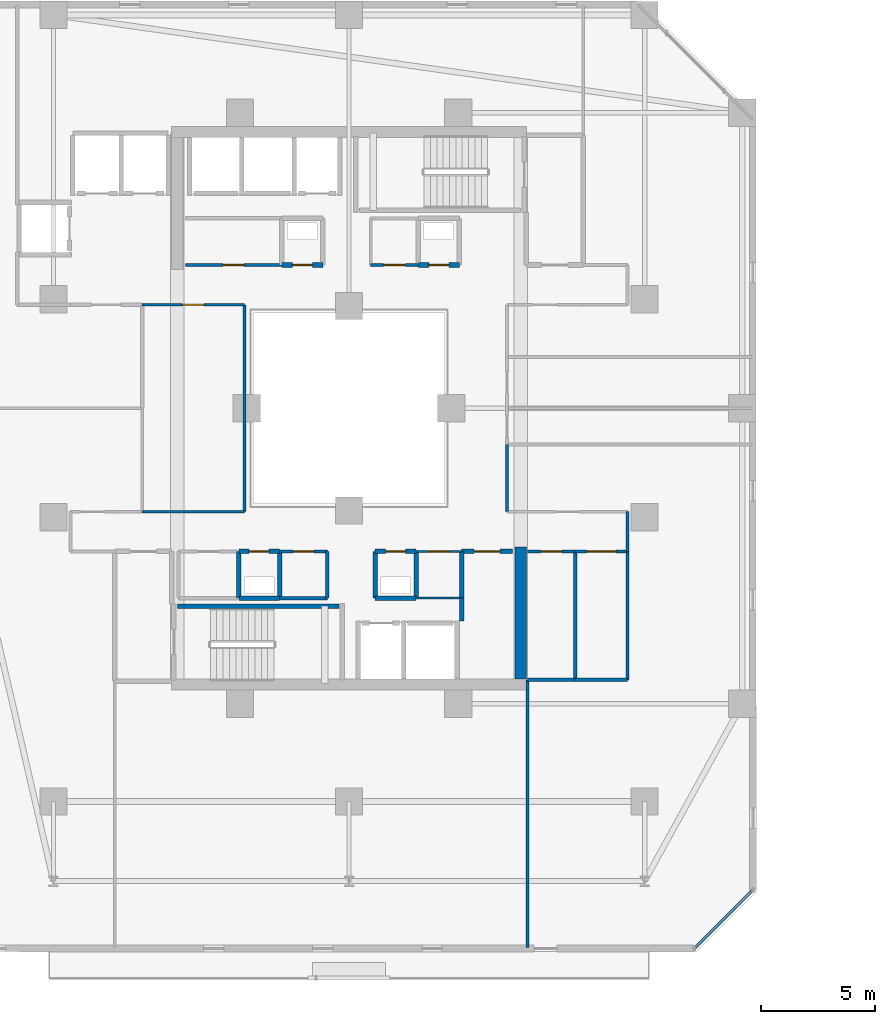
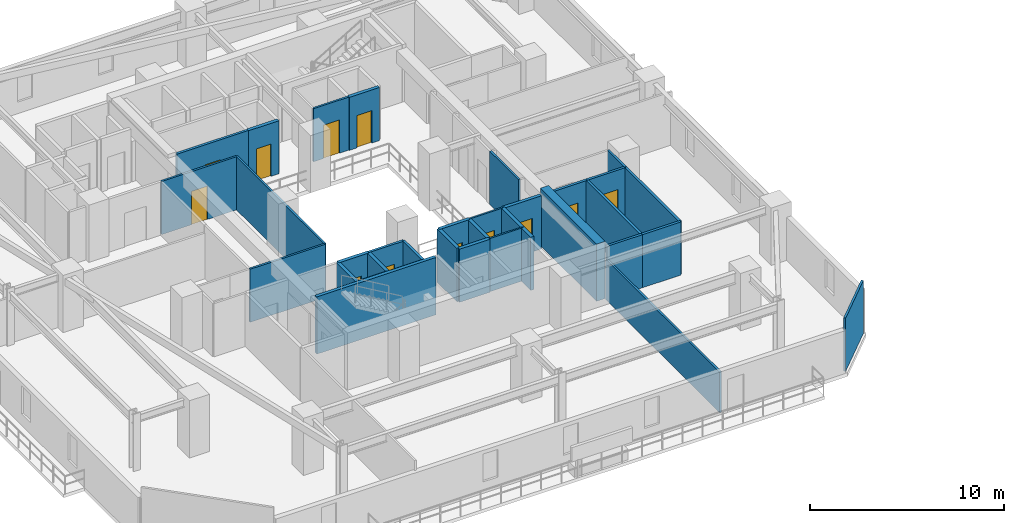
# One storey, part 19 of 33: 35 walls, 12 doors, 12 openings.
"""IFC4 building model written with IfcOpenShell, lengths in metres."""

from ifc_helpers import new_model, si_unit, direction, frame, frame_2d, origin, place, context, subcontext, project, spatial, rectangle, extrude, material, layer, layer_set, type_object, element, fill, save


model = new_model("IFC4")

# Units and contexts
model_context = context("Model", 3, precision=1e-05, world=origin(), true_north=direction((0.0, 1.0)))
body_context = subcontext(model_context, "Body", "Model", "MODEL_VIEW")
ifc_project = project(units=[si_unit("LENGTHUNIT", "METRE"), si_unit("AREAUNIT", "SQUARE_METRE"), si_unit("VOLUMEUNIT", "CUBIC_METRE"), si_unit("PLANEANGLEUNIT", "RADIAN"), si_unit("MASSUNIT", "GRAM", prefix="KILO")], contexts=[model_context])

# Site, building, storey
site_placement = place(None, origin())
site = spatial("IfcSite", under=ifc_project, at=site_placement, CompositionType="ELEMENT")
building_placement = place(site_placement, origin())
building = spatial("IfcBuilding", under=site, at=building_placement, Name="Thornwick Lancets Civic Towers", CompositionType="ELEMENT")
storey_placement = place(building_placement, frame((0.0, 0.0, 134.10009765625)))
storey = spatial("IfcBuildingStorey", under=building, at=storey_placement, Name="L35", CompositionType="ELEMENT", Elevation=134.10009765625)

# Walls
ifc_material_1 = material(Name="Concrete blockwork C40/50", Category="masonry")
ifc_layer_1 = layer(ifc_material_1, 0.199951171875, Name="Concrete blockwork C40/50")
ifc_layer_set_1 = layer_set([ifc_layer_1], Name="Concrete blockwork C40/50")
wall_type_1 = type_object("IfcWallType", Name="WALL_COMP_200", PredefinedType="STANDARD", material=ifc_layer_set_1)
wall_1_placement = place(storey_placement, frame((26.64990234375, 18.64990234375, 0.0), z_axis=(0.0, 0.0, 1.0), x_axis=(1.0, 0.0, 0.0)))
element("IfcWall", 1, at=wall_1_placement, inside=storey, type_object=wall_type_1, Name="L35 Partition L35-A-DUCT1 E1", PredefinedType="STANDARD", context=body_context, shape_type="SweptSolid", body=[
    extrude(rectangle(XDim=1.800048828125, YDim=0.199951171875, at=frame_2d((0.89990234375, 0.0))), origin(), (0.0, 0.0, 1.0), 3.33984375),
])
wall_2_placement = place(storey_placement, frame((28.449951171875, 18.64990234375, 0.0), z_axis=(0.0, 0.0, 1.0), x_axis=(0.0, 1.0, 0.0)))
element("IfcWall", 2, at=wall_2_placement, inside=storey, type_object=wall_type_1, Name="L35 Partition L35-A-DUCT1 E2", PredefinedType="STANDARD", context=body_context, shape_type="SweptSolid", body=[
    extrude(rectangle(XDim=2.050048828125, YDim=0.199951171875, at=frame_2d((1.02490234375, 0.0))), origin(), (0.0, 0.0, 1.0), 3.33984375),
])

# Wall, opening, door
wall_3_placement = place(storey_placement, frame((28.449951171875, 20.699951171875, 0.0), z_axis=(0.0, 0.0, 1.0), x_axis=(-1.0, 0.0, 0.0)))
wall_3 = element("IfcWall", 3, at=wall_3_placement, inside=storey, type_object=wall_type_1, Name="L35 Partition L35-A-DUCT1 E3", PredefinedType="STANDARD", context=body_context, shape_type="SweptSolid", body=[
    extrude(rectangle(XDim=1.800048828125, YDim=0.199951171875, at=frame_2d((0.89990234375, 0.0))), origin(), (0.0, 0.0, 1.0), 3.33984375),
])
opening_1_placement = place(wall_3_placement, frame((0.4599609375, 0.0, 0.0)))
opening_1 = element("IfcOpeningElement", 4, at=opening_1_placement, cuts=wall_3, Name="Opening D-L35-1577", PredefinedType="OPENING", context=body_context, shape_type="SweptSolid", body=[
    extrude(rectangle(XDim=0.8798828125, YDim=2.0400390625, at=frame_2d((0.43994140625, 1.02001953125))), frame((0.0, 0.10986328125, 0.0), z_axis=(0.0, -1.0, 0.0), x_axis=(1.0, 0.0, 0.0)), (0.0, 0.0, 1.0), 0.219970703125),
])
ifc_material_2 = material(Name="Steel riser access doorset", Category="steel")
door_type_1 = type_object("IfcDoorType", Name="DOOR_RISER_850", OperationType="NOTDEFINED", PredefinedType="DOOR", material=ifc_material_2)
door_1_placement = place(opening_1_placement, origin())
door_1 = element("IfcDoor", 5, at=door_1_placement, inside=storey, type_object=door_type_1, Name="L35 South Service Duct 1 Door", OperationType="SINGLE_SWING_RIGHT", OverallHeight=2.0400390625, OverallWidth=0.8798828125, PredefinedType="DOOR", context=body_context, shape_type="SweptSolid", body=[
    extrude(rectangle(XDim=0.8798828125, YDim=2.0400390625, at=frame_2d((0.43994140625, 1.02001953125))), frame((0.0, 0.02490234375, 0.0), z_axis=(0.0, -1.0, 0.0), x_axis=(1.0, 0.0, 0.0)), (0.0, 0.0, 1.0), 0.050048828125),
])
fill(opening_1, door_1)

# Walls
wall_4_placement = place(storey_placement, frame((26.64990234375, 20.699951171875, 0.0), z_axis=(0.0, 0.0, 1.0), x_axis=(0.0, -1.0, 0.0)))
element("IfcWall", 6, at=wall_4_placement, inside=storey, type_object=wall_type_1, Name="L35 Partition L35-A-DUCT1 E4", PredefinedType="STANDARD", context=body_context, shape_type="SweptSolid", body=[
    extrude(rectangle(XDim=2.050048828125, YDim=0.199951171875, at=frame_2d((1.02490234375, 0.0))), origin(), (0.0, 0.0, 1.0), 3.33984375),
])
wall_5_placement = place(storey_placement, frame((20.64990234375, 18.64990234375, 0.0), z_axis=(0.0, 0.0, 1.0), x_axis=(1.0, 0.0, 0.0)))
element("IfcWall", 7, at=wall_5_placement, inside=storey, type_object=wall_type_1, Name="L35 Partition L35-A-RISER1 E1", PredefinedType="STANDARD", context=body_context, shape_type="SweptSolid", body=[
    extrude(rectangle(XDim=1.800048828125, YDim=0.199951171875, at=frame_2d((0.89990234375, 0.0))), origin(), (0.0, 0.0, 1.0), 3.33984375),
])
wall_6_placement = place(storey_placement, frame((22.449951171875, 18.64990234375, 0.0), z_axis=(0.0, 0.0, 1.0), x_axis=(0.0, 1.0, 0.0)))
element("IfcWall", 8, at=wall_6_placement, inside=storey, type_object=wall_type_1, Name="L35 Partition L35-A-RISER1 E2", PredefinedType="STANDARD", context=body_context, shape_type="SweptSolid", body=[
    extrude(rectangle(XDim=2.050048828125, YDim=0.199951171875, at=frame_2d((1.02490234375, 0.0))), origin(), (0.0, 0.0, 1.0), 3.33984375),
])

# Wall, opening, door
wall_7_placement = place(storey_placement, frame((22.449951171875, 20.699951171875, 0.0), z_axis=(0.0, 0.0, 1.0), x_axis=(-1.0, 0.0, 0.0)))
wall_7 = element("IfcWall", 9, at=wall_7_placement, inside=storey, type_object=wall_type_1, Name="L35 Partition L35-A-RISER1 E3", PredefinedType="STANDARD", context=body_context, shape_type="SweptSolid", body=[
    extrude(rectangle(XDim=1.800048828125, YDim=0.199951171875, at=frame_2d((0.89990234375, 0.0))), origin(), (0.0, 0.0, 1.0), 3.33984375),
])
opening_2_placement = place(wall_7_placement, frame((0.4599609375, 0.0, 0.0)))
opening_2 = element("IfcOpeningElement", 10, at=opening_2_placement, cuts=wall_7, Name="Opening D-L35-1578", PredefinedType="OPENING", context=body_context, shape_type="SweptSolid", body=[
    extrude(rectangle(XDim=0.8798828125, YDim=2.0400390625, at=frame_2d((0.43994140625, 1.02001953125))), frame((0.0, 0.10986328125, 0.0), z_axis=(0.0, -1.0, 0.0), x_axis=(1.0, 0.0, 0.0)), (0.0, 0.0, 1.0), 0.219970703125),
])
door_2_placement = place(opening_2_placement, origin())
door_2 = element("IfcDoor", 11, at=door_2_placement, inside=storey, type_object=door_type_1, Name="L35 South Electrical Riser 1 Door", OperationType="SINGLE_SWING_LEFT", OverallHeight=2.0400390625, OverallWidth=0.8798828125, PredefinedType="DOOR", context=body_context, shape_type="SweptSolid", body=[
    extrude(rectangle(XDim=0.8798828125, YDim=2.0400390625, at=frame_2d((0.43994140625, 1.02001953125))), frame((0.0, 0.02490234375, 0.0), z_axis=(0.0, -1.0, 0.0), x_axis=(1.0, 0.0, 0.0)), (0.0, 0.0, 1.0), 0.050048828125),
])
fill(opening_2, door_2)

# Wall
wall_8_placement = place(storey_placement, frame((20.64990234375, 20.699951171875, 0.0), z_axis=(0.0, 0.0, 1.0), x_axis=(0.0, -1.0, 0.0)))
element("IfcWall", 12, at=wall_8_placement, inside=storey, type_object=wall_type_1, Name="L35 Partition L35-A-RISER1 E4", PredefinedType="STANDARD", context=body_context, shape_type="SweptSolid", body=[
    extrude(rectangle(XDim=2.050048828125, YDim=0.199951171875, at=frame_2d((1.02490234375, 0.0))), origin(), (0.0, 0.0, 1.0), 3.33984375),
])

# Wall, opening, door
wall_9_placement = place(storey_placement, frame((22.550048828125, 33.300048828125, 0.0), z_axis=(0.0, 0.0, 1.0), x_axis=(1.0, 0.0, 0.0)))
wall_9 = element("IfcWall", 13, at=wall_9_placement, inside=storey, type_object=wall_type_1, Name="L35 Partition L35-A-DUCT2 E1", PredefinedType="STANDARD", context=body_context, shape_type="SweptSolid", body=[
    extrude(rectangle(XDim=1.800048828125, YDim=0.199951171875, at=frame_2d((0.89990234375, 0.0))), origin(), (0.0, 0.0, 1.0), 3.33984375),
])
opening_3_placement = place(wall_9_placement, frame((0.4599609375, 0.0, 0.0)))
opening_3 = element("IfcOpeningElement", 14, at=opening_3_placement, cuts=wall_9, Name="Opening D-L35-1579", PredefinedType="OPENING", context=body_context, shape_type="SweptSolid", body=[
    extrude(rectangle(XDim=0.8798828125, YDim=2.0400390625, at=frame_2d((0.43994140625, 1.02001953125))), frame((0.0, 0.10986328125, 0.0), z_axis=(0.0, -1.0, 0.0), x_axis=(1.0, 0.0, 0.0)), (0.0, 0.0, 1.0), 0.219970703125),
])
door_3_placement = place(opening_3_placement, origin())
door_3 = element("IfcDoor", 15, at=door_3_placement, inside=storey, type_object=door_type_1, Name="L35 North Service Duct 2 Door", OperationType="SINGLE_SWING_RIGHT", OverallHeight=2.0400390625, OverallWidth=0.8798828125, PredefinedType="DOOR", context=body_context, shape_type="SweptSolid", body=[
    extrude(rectangle(XDim=0.8798828125, YDim=2.0400390625, at=frame_2d((0.43994140625, 1.02001953125))), frame((0.0, 0.02490234375, 0.0), z_axis=(0.0, -1.0, 0.0), x_axis=(1.0, 0.0, 0.0)), (0.0, 0.0, 1.0), 0.050048828125),
])
fill(opening_3, door_3)

wall_10_placement = place(storey_placement, frame((28.550048828125, 33.300048828125, 0.0), z_axis=(0.0, 0.0, 1.0), x_axis=(1.0, 0.0, 0.0)))
wall_10 = element("IfcWall", 16, at=wall_10_placement, inside=storey, type_object=wall_type_1, Name="L35 Partition L35-A-RISER2 E1", PredefinedType="STANDARD", context=body_context, shape_type="SweptSolid", body=[
    extrude(rectangle(XDim=1.800048828125, YDim=0.199951171875, at=frame_2d((0.89990234375, 0.0))), origin(), (0.0, 0.0, 1.0), 3.33984375),
])
opening_4_placement = place(wall_10_placement, frame((0.4599609375, 0.0, 0.0)))
opening_4 = element("IfcOpeningElement", 17, at=opening_4_placement, cuts=wall_10, Name="Opening D-L35-1580", PredefinedType="OPENING", context=body_context, shape_type="SweptSolid", body=[
    extrude(rectangle(XDim=0.8798828125, YDim=2.0400390625, at=frame_2d((0.43994140625, 1.02001953125))), frame((0.0, 0.10986328125, 0.0), z_axis=(0.0, -1.0, 0.0), x_axis=(1.0, 0.0, 0.0)), (0.0, 0.0, 1.0), 0.219970703125),
])
door_4_placement = place(opening_4_placement, origin())
door_4 = element("IfcDoor", 18, at=door_4_placement, inside=storey, type_object=door_type_1, Name="L35 North Service Riser 2 Door", OperationType="SINGLE_SWING_LEFT", OverallHeight=2.0400390625, OverallWidth=0.8798828125, PredefinedType="DOOR", context=body_context, shape_type="SweptSolid", body=[
    extrude(rectangle(XDim=0.8798828125, YDim=2.0400390625, at=frame_2d((0.43994140625, 1.02001953125))), frame((0.0, 0.02490234375, 0.0), z_axis=(0.0, -1.0, 0.0), x_axis=(1.0, 0.0, 0.0)), (0.0, 0.0, 1.0), 0.050048828125),
])
fill(opening_4, door_4)

# Walls
wall_11_placement = place(storey_placement, frame((30.449951171875, 17.64794921875, 0.0), z_axis=(0.0, 0.0, 1.0), x_axis=(0.0, 1.0, 0.0)))
element("IfcWall", 19, at=wall_11_placement, inside=storey, type_object=wall_type_1, Name="L35 Partition L35-A-ITR2 E3", PredefinedType="STANDARD", context=body_context, shape_type="SweptSolid", body=[
    extrude(rectangle(XDim=1.001953125, YDim=0.199951171875, at=frame_2d((0.5009765625, 0.0))), origin(), (0.0, 0.0, 1.0), 3.33984375),
])
wall_12_placement = place(storey_placement, frame((30.449951171875, 18.64990234375, 0.0), z_axis=(0.0, 0.0, 1.0), x_axis=(0.0, 1.0, 0.0)))
element("IfcWall", 20, at=wall_12_placement, inside=storey, type_object=wall_type_1, Name="L35 Partition L35-A-ITR2 E4", PredefinedType="STANDARD", context=body_context, shape_type="SweptSolid", body=[
    extrude(rectangle(XDim=2.050048828125, YDim=0.199951171875, at=frame_2d((1.02490234375, 0.0))), origin(), (0.0, 0.0, 1.0), 3.33984375),
])

# Wall, opening, door
wall_13_placement = place(storey_placement, frame((30.449951171875, 20.699951171875, 0.0), z_axis=(0.0, 0.0, 1.0), x_axis=(1.0, 0.0, 0.0)))
wall_13 = element("IfcWall", 21, at=wall_13_placement, inside=storey, type_object=wall_type_1, Name="L35 Partition L35-A-ITR2 E5", PredefinedType="STANDARD", context=body_context, shape_type="SweptSolid", body=[
    extrude(rectangle(XDim=2.25, YDim=0.199951171875, at=frame_2d((1.125, 0.0))), origin(), (0.0, 0.0, 1.0), 3.33984375),
])
opening_5_placement = place(wall_13_placement, frame((0.550048828125, 0.0, 0.0)))
opening_5 = element("IfcOpeningElement", 22, at=opening_5_placement, cuts=wall_13, Name="Opening D-L35-1584", PredefinedType="OPENING", context=body_context, shape_type="SweptSolid", body=[
    extrude(rectangle(XDim=1.14990234375, YDim=2.10009765625, at=frame_2d((0.574951171875, 1.050048828125))), frame((0.0, 0.10986328125, 0.0), z_axis=(0.0, -1.0, 0.0), x_axis=(1.0, 0.0, 0.0)), (0.0, 0.0, 1.0), 0.219970703125),
])
ifc_material_3 = material(Name="Glazed fire-resisting steel", Category="steel")
door_type_2 = type_object("IfcDoorType", Name="DOOR_LOBBY_FD60", OperationType="NOTDEFINED", PredefinedType="DOOR", material=ifc_material_3)
door_5_placement = place(opening_5_placement, origin())
door_5 = element("IfcDoor", 23, at=door_5_placement, inside=storey, type_object=door_type_2, Name="L35 Tower A Statutory Core Archive Door", OperationType="SINGLE_SWING_LEFT", OverallHeight=2.10009765625, OverallWidth=1.14990234375, PredefinedType="DOOR", context=body_context, shape_type="SweptSolid", body=[
    extrude(rectangle(XDim=1.14990234375, YDim=2.10009765625, at=frame_2d((0.574951171875, 1.050048828125))), frame((0.0, 0.02490234375, 0.0), z_axis=(0.0, -1.0, 0.0), x_axis=(1.0, 0.0, 0.0)), (0.0, 0.0, 1.0), 0.050048828125),
])
fill(opening_5, door_5)

# Walls
ifc_material_4 = material(Name="Concrete C50/60", Category="concrete")
ifc_layer_2 = layer(ifc_material_4, 0.5, Name="Concrete C50/60")
ifc_layer_set_2 = layer_set([ifc_layer_2], Name="Concrete C50/60")
wall_type_2 = type_object("IfcWallType", Name="WALL_CORE_500", PredefinedType="SHEAR", material=ifc_layer_set_2)
wall_14_placement = place(storey_placement, frame((33.050048828125, 15.10009765625, 0.0), z_axis=(0.0, 0.0, 1.0), x_axis=(0.0, 1.0, 0.0)))
element("IfcWall", 24, at=wall_14_placement, inside=storey, type_object=wall_type_2, Name="L35 Split Core A1 Shear Wall E", PredefinedType="SHEAR", context=body_context, shape_type="SweptSolid", body=[
    extrude(rectangle(XDim=5.7998046875, YDim=0.5, at=frame_2d((2.89990234375, 0.0))), origin(), (0.0, 0.0, 1.0), 3.599853515625),
])
ifc_material_5 = material(Name="Lightweight cellular office partition")
ifc_layer_3 = layer(ifc_material_5, 0.10009765625, Name="Lightweight cellular office partition")
ifc_layer_set_3 = layer_set([ifc_layer_3], Name="Lightweight cellular office partition")
wall_type_3 = type_object("IfcWallType", Name="WALL_PART_100", PredefinedType="PARTITIONING", material=ifc_layer_set_3)
wall_15_placement = place(storey_placement, frame((30.449951171875, 18.64990234375, 0.0), z_axis=(0.0, 0.0, 1.0), x_axis=(-1.0, 0.0, 0.0)))
element("IfcWall", 25, at=wall_15_placement, inside=storey, type_object=wall_type_3, Name="L35 Partition L35-A-CLN E2", PredefinedType="PARTITIONING", context=body_context, shape_type="SweptSolid", body=[
    extrude(rectangle(XDim=2.0, YDim=0.10009765625, at=frame_2d((1.0, 0.0))), origin(), (0.0, 0.0, 1.0), 3.33984375),
])

# Wall, opening, door
wall_16_placement = place(storey_placement, frame((28.449951171875, 20.699951171875, 0.0), z_axis=(0.0, 0.0, 1.0), x_axis=(1.0, 0.0, 0.0)))
wall_16 = element("IfcWall", 26, at=wall_16_placement, inside=storey, type_object=wall_type_3, Name="L35 Partition L35-A-CLN E4", PredefinedType="PARTITIONING", context=body_context, shape_type="SweptSolid", body=[
    extrude(rectangle(XDim=2.0, YDim=0.10009765625, at=frame_2d((1.0, 0.0))), origin(), (0.0, 0.0, 1.0), 3.33984375),
])
opening_6_placement = place(wall_16_placement, frame((0.52490234375, 0.0, 0.0)))
opening_6 = element("IfcOpeningElement", 27, at=opening_6_placement, cuts=wall_16, Name="Opening D-L35-1583", PredefinedType="OPENING", context=body_context, shape_type="SweptSolid", body=[
    extrude(rectangle(XDim=0.949951171875, YDim=2.10009765625, at=frame_2d((0.47509765625, 1.050048828125))), frame((0.0, 0.06005859375, 0.0), z_axis=(0.0, -1.0, 0.0), x_axis=(1.0, 0.0, 0.0)), (0.0, 0.0, 1.0), 0.1201171875),
])
ifc_material_6 = material(Name="European oak acoustic doorset")
door_type_3 = type_object("IfcDoorType", Name="DOOR_OFFICE_950", OperationType="NOTDEFINED", PredefinedType="DOOR", material=ifc_material_6)
door_6_placement = place(opening_6_placement, origin())
door_6 = element("IfcDoor", 28, at=door_6_placement, inside=storey, type_object=door_type_3, Name="L35 Tower A Cleaners Store Door", OperationType="SINGLE_SWING_RIGHT", OverallHeight=2.10009765625, OverallWidth=0.949951171875, PredefinedType="DOOR", context=body_context, shape_type="SweptSolid", body=[
    extrude(rectangle(XDim=0.949951171875, YDim=2.10009765625, at=frame_2d((0.47509765625, 1.050048828125))), frame((0.0, 0.02490234375, 0.0), z_axis=(0.0, -1.0, 0.0), x_axis=(1.0, 0.0, 0.0)), (0.0, 0.0, 1.0), 0.050048828125),
])
fill(opening_6, door_6)

ifc_material_7 = material(Name="Acoustic gypsum board partition")
ifc_layer_4 = layer(ifc_material_7, 0.1201171875, Name="Acoustic gypsum board partition")
ifc_layer_set_4 = layer_set([ifc_layer_4], Name="Acoustic gypsum board partition")
wall_type_4 = type_object("IfcWallType", Name="WALL_PART_120", PredefinedType="PARTITIONING", material=ifc_layer_set_4)
wall_17_placement = place(storey_placement, frame((28.550048828125, 33.300048828125, 0.0), z_axis=(0.0, 0.0, 1.0), x_axis=(-1.0, 0.0, 0.0)))
wall_17 = element("IfcWall", 29, at=wall_17_placement, inside=storey, type_object=wall_type_4, Name="L35 Partition L35-A-ITR E4", PredefinedType="PARTITIONING", context=body_context, shape_type="SweptSolid", body=[
    extrude(rectangle(XDim=2.10009765625, YDim=0.1201171875, at=frame_2d((1.050048828125, 0.0))), origin(), (0.0, 0.0, 1.0), 3.33984375),
])
opening_7_placement = place(wall_17_placement, frame((0.574951171875, 0.0, 0.0)))
opening_7 = element("IfcOpeningElement", 30, at=opening_7_placement, cuts=wall_17, Name="Opening D-L35-1586", PredefinedType="OPENING", context=body_context, shape_type="SweptSolid", body=[
    extrude(rectangle(XDim=0.949951171875, YDim=2.10009765625, at=frame_2d((0.47509765625, 1.050048828125))), frame((0.0, 0.070068359375, 0.0), z_axis=(0.0, -1.0, 0.0), x_axis=(1.0, 0.0, 0.0)), (0.0, 0.0, 1.0), 0.14013671875),
])
door_7_placement = place(opening_7_placement, origin())
door_7 = element("IfcDoor", 31, at=door_7_placement, inside=storey, type_object=door_type_3, Name="L35 Tower A Comms Patch Room Door", OperationType="SINGLE_SWING_LEFT", OverallHeight=2.10009765625, OverallWidth=0.949951171875, PredefinedType="DOOR", context=body_context, shape_type="SweptSolid", body=[
    extrude(rectangle(XDim=0.949951171875, YDim=2.10009765625, at=frame_2d((0.47509765625, 1.050048828125))), frame((0.0, 0.02490234375, 0.0), z_axis=(0.0, -1.0, 0.0), x_axis=(1.0, 0.0, 0.0)), (0.0, 0.0, 1.0), 0.050048828125),
])
fill(opening_7, door_7)

wall_18_placement = place(storey_placement, frame((16.39990234375, 31.550048828125, 0.0), z_axis=(0.0, 0.0, 1.0), x_axis=(1.0, 0.0, 0.0)))
wall_18 = element("IfcWall", 32, at=wall_18_placement, inside=storey, type_object=wall_type_4, Name="L35 Partition L35-A-W3 E3", PredefinedType="PARTITIONING", context=body_context, shape_type="SweptSolid", body=[
    extrude(rectangle(XDim=4.5, YDim=0.1201171875, at=frame_2d((2.25, 0.0))), origin(), (0.0, 0.0, 1.0), 3.33984375),
])
opening_8_placement = place(wall_18_placement, frame((1.77490234375, 0.0, 0.0)))
opening_8 = element("IfcOpeningElement", 33, at=opening_8_placement, cuts=wall_18, Name="Opening D-L35-1603", PredefinedType="OPENING", context=body_context, shape_type="SweptSolid", body=[
    extrude(rectangle(XDim=0.949951171875, YDim=2.10009765625, at=frame_2d((0.47509765625, 1.050048828125))), frame((0.0, 0.070068359375, 0.0), z_axis=(0.0, -1.0, 0.0), x_axis=(1.0, 0.0, 0.0)), (0.0, 0.0, 1.0), 0.14013671875),
])
door_8_placement = place(opening_8_placement, origin())
door_8 = element("IfcDoor", 34, at=door_8_placement, inside=storey, type_object=door_type_3, Name="L35 Tower A West Atrium Reading Lounge Door", OperationType="SINGLE_SWING_RIGHT", OverallHeight=2.10009765625, OverallWidth=0.949951171875, PredefinedType="DOOR", context=body_context, shape_type="SweptSolid", body=[
    extrude(rectangle(XDim=0.949951171875, YDim=2.10009765625, at=frame_2d((0.47509765625, 1.050048828125))), frame((0.0, 0.02490234375, 0.0), z_axis=(0.0, -1.0, 0.0), x_axis=(1.0, 0.0, 0.0)), (0.0, 0.0, 1.0), 0.050048828125),
])
fill(opening_8, door_8)

# Walls
wall_19_placement = place(storey_placement, frame((20.89990234375, 31.550048828125, 0.0), z_axis=(0.0, 0.0, 1.0), x_axis=(0.0, -1.0, 0.0)))
element("IfcWall", 35, at=wall_19_placement, inside=storey, type_object=wall_type_4, Name="L35 Partition L35-A-W3 E4", PredefinedType="PARTITIONING", context=body_context, shape_type="SweptSolid", body=[
    extrude(rectangle(XDim=9.10009765625, YDim=0.1201171875, at=frame_2d((4.550048828125, 0.0))), origin(), (0.0, 0.0, 1.0), 3.33984375),
])
wall_20_placement = place(storey_placement, frame((20.89990234375, 22.449951171875, 0.0), z_axis=(0.0, 0.0, 1.0), x_axis=(-1.0, 0.0, 0.0)))
element("IfcWall", 36, at=wall_20_placement, inside=storey, type_object=wall_type_4, Name="L35 Partition L35-A-W3 E5", PredefinedType="PARTITIONING", context=body_context, shape_type="SweptSolid", body=[
    extrude(rectangle(XDim=4.5, YDim=0.1201171875, at=frame_2d((2.25, 0.0))), origin(), (0.0, 0.0, 1.0), 3.33984375),
])
wall_21_placement = place(storey_placement, frame((33.35009765625, 3.280029296875, 0.0), z_axis=(0.0, 0.0, 1.0), x_axis=(0.0, 1.0, 0.0)))
element("IfcWall", 37, at=wall_21_placement, inside=storey, type_object=wall_type_4, Name="L35 Partition L35-A-E1 E2", PredefinedType="PARTITIONING", context=body_context, shape_type="SweptSolid", body=[
    extrude(rectangle(XDim=11.77001953125, YDim=0.1201171875, at=frame_2d((5.885009765625, 0.0))), origin(), (0.0, 0.0, 1.0), 2.544921875),
])
wall_22_placement = place(storey_placement, frame((37.75, 20.699951171875, 0.0), z_axis=(0.0, 0.0, 1.0), x_axis=(0.0, 1.0, 0.0)))
element("IfcWall", 38, at=wall_22_placement, inside=storey, type_object=wall_type_4, Name="L35 Partition L35-A-E1 E6", PredefinedType="PARTITIONING", context=body_context, shape_type="SweptSolid", body=[
    extrude(rectangle(XDim=1.75, YDim=0.1201171875, at=frame_2d((0.875, 0.0))), origin(), (0.0, 0.0, 1.0), 3.33984375),
])
wall_23_placement = place(storey_placement, frame((32.449951171875, 22.449951171875, 0.0), z_axis=(0.0, 0.0, 1.0), x_axis=(0.0, 1.0, 0.0)))
element("IfcWall", 39, at=wall_23_placement, inside=storey, type_object=wall_type_4, Name="L35 Partition L35-A-E1 E8", PredefinedType="PARTITIONING", context=body_context, shape_type="SweptSolid", body=[
    extrude(rectangle(XDim=2.949951171875, YDim=0.1201171875, at=frame_2d((1.47509765625, 0.0))), origin(), (0.0, 0.0, 1.0), 3.33984375),
])
wall_24_placement = place(storey_placement, frame((43.219970703125, 5.774658203125, 0.0), z_axis=(0.0, 0.0, 1.0), x_axis=(-0.707106781187, -0.707106781187, 0.0)))
element("IfcWall", 40, at=wall_24_placement, inside=storey, type_object=wall_type_4, Name="L35 Partition L35-A-E1 E11", PredefinedType="PARTITIONING", context=body_context, shape_type="SweptSolid", body=[
    extrude(rectangle(XDim=3.52783203125, YDim=0.1201171875, at=frame_2d((1.763916015625, 0.0))), origin(), (0.0, 0.0, 1.0), 3.33984375),
])
ifc_material_8 = material(Name="Twin-stud acoustic gypsum board")
ifc_layer_5 = layer(ifc_material_8, 0.14990234375, Name="Twin-stud acoustic gypsum board")
ifc_layer_set_5 = layer_set([ifc_layer_5], Name="Twin-stud acoustic gypsum board")
wall_type_5 = type_object("IfcWallType", Name="WALL_PART_150", PredefinedType="PARTITIONING", material=ifc_layer_set_5)
wall_25_placement = place(storey_placement, frame((24.550048828125, 20.699951171875, 0.0), z_axis=(0.0, 0.0, 1.0), x_axis=(0.0, -1.0, 0.0)))
element("IfcWall", 41, at=wall_25_placement, inside=storey, type_object=wall_type_5, Name="L35 Partition L35-A-AWC E1", PredefinedType="PARTITIONING", context=body_context, shape_type="SweptSolid", body=[
    extrude(rectangle(XDim=2.050048828125, YDim=0.14990234375, at=frame_2d((1.02490234375, 0.0))), origin(), (0.0, 0.0, 1.0), 3.33984375),
])
wall_26_placement = place(storey_placement, frame((24.550048828125, 18.64990234375, 0.0), z_axis=(0.0, 0.0, 1.0), x_axis=(-1.0, 0.0, 0.0)))
element("IfcWall", 42, at=wall_26_placement, inside=storey, type_object=wall_type_5, Name="L35 Partition L35-A-AWC E2", PredefinedType="PARTITIONING", context=body_context, shape_type="SweptSolid", body=[
    extrude(rectangle(XDim=2.10009765625, YDim=0.14990234375, at=frame_2d((1.050048828125, 0.0))), origin(), (0.0, 0.0, 1.0), 3.33984375),
])

# Wall, opening, door
wall_27_placement = place(storey_placement, frame((22.449951171875, 20.699951171875, 0.0), z_axis=(0.0, 0.0, 1.0), x_axis=(1.0, 0.0, 0.0)))
wall_27 = element("IfcWall", 43, at=wall_27_placement, inside=storey, type_object=wall_type_5, Name="L35 Partition L35-A-AWC E4", PredefinedType="PARTITIONING", context=body_context, shape_type="SweptSolid", body=[
    extrude(rectangle(XDim=2.10009765625, YDim=0.14990234375, at=frame_2d((1.050048828125, 0.0))), origin(), (0.0, 0.0, 1.0), 3.33984375),
])
opening_9_placement = place(wall_27_placement, frame((0.590087890625, 0.0, 0.0)))
opening_9 = element("IfcOpeningElement", 44, at=opening_9_placement, cuts=wall_27, Name="Opening D-L35-1582", PredefinedType="OPENING", context=body_context, shape_type="SweptSolid", body=[
    extrude(rectangle(XDim=0.919921875, YDim=2.080078125, at=frame_2d((0.4599609375, 1.0400390625))), frame((0.0, 0.0849609375, 0.0), z_axis=(0.0, -1.0, 0.0), x_axis=(1.0, 0.0, 0.0)), (0.0, 0.0, 1.0), 0.169921875),
])
ifc_material_9 = material(Name="Moisture-resistant oak doorset")
door_type_4 = type_object("IfcDoorType", Name="DOOR_WC_900", OperationType="NOTDEFINED", PredefinedType="DOOR", material=ifc_material_9)
door_9_placement = place(opening_9_placement, origin())
door_9 = element("IfcDoor", 45, at=door_9_placement, inside=storey, type_object=door_type_4, Name="L35 Tower A Accessible WC Door", OperationType="SINGLE_SWING_LEFT", OverallHeight=2.080078125, OverallWidth=0.919921875, PredefinedType="DOOR", context=body_context, shape_type="SweptSolid", body=[
    extrude(rectangle(XDim=0.919921875, YDim=2.080078125, at=frame_2d((0.4599609375, 1.0400390625))), frame((0.0, 0.02490234375, 0.0), z_axis=(0.0, -1.0, 0.0), x_axis=(1.0, 0.0, 0.0)), (0.0, 0.0, 1.0), 0.050048828125),
])
fill(opening_9, door_9)

wall_28_placement = place(storey_placement, frame((22.550048828125, 33.300048828125, 0.0), z_axis=(0.0, 0.0, 1.0), x_axis=(-1.0, 0.0, 0.0)))
wall_28 = element("IfcWall", 46, at=wall_28_placement, inside=storey, type_object=wall_type_5, Name="L35 Partition L35-A-FWC E4", PredefinedType="PARTITIONING", context=body_context, shape_type="SweptSolid", body=[
    extrude(rectangle(XDim=4.25, YDim=0.14990234375, at=frame_2d((2.125, 0.0))), origin(), (0.0, 0.0, 1.0), 3.33984375),
])
opening_10_placement = place(wall_28_placement, frame((1.6650390625, 0.0, 0.0)))
opening_10 = element("IfcOpeningElement", 47, at=opening_10_placement, cuts=wall_28, Name="Opening D-L35-1585", PredefinedType="OPENING", context=body_context, shape_type="SweptSolid", body=[
    extrude(rectangle(XDim=0.919921875, YDim=2.080078125, at=frame_2d((0.4599609375, 1.0400390625))), frame((0.0, 0.0849609375, 0.0), z_axis=(0.0, -1.0, 0.0), x_axis=(1.0, 0.0, 0.0)), (0.0, 0.0, 1.0), 0.169921875),
])
door_10_placement = place(opening_10_placement, origin())
door_10 = element("IfcDoor", 48, at=door_10_placement, inside=storey, type_object=door_type_4, Name="L35 Tower A Female WC Door", OperationType="SINGLE_SWING_RIGHT", OverallHeight=2.080078125, OverallWidth=0.919921875, PredefinedType="DOOR", context=body_context, shape_type="SweptSolid", body=[
    extrude(rectangle(XDim=0.919921875, YDim=2.080078125, at=frame_2d((0.4599609375, 1.0400390625))), frame((0.0, 0.02490234375, 0.0), z_axis=(0.0, -1.0, 0.0), x_axis=(1.0, 0.0, 0.0)), (0.0, 0.0, 1.0), 0.050048828125),
])
fill(opening_10, door_10)

# Wall
wall_29_placement = place(storey_placement, frame((35.449951171875, 15.050048828125, 0.0), z_axis=(0.0, 0.0, 1.0), x_axis=(-1.0, 0.0, 0.0)))
element("IfcWall", 49, at=wall_29_placement, inside=storey, type_object=wall_type_5, Name="L35 Partition L35-A-RECLAIM-L1 E1", PredefinedType="PARTITIONING", context=body_context, shape_type="SweptSolid", body=[
    extrude(rectangle(XDim=2.099853515625, YDim=0.14990234375, at=frame_2d((1.0498046875, 0.0))), origin(), (0.0, 0.0, 1.0), 3.33984375),
])

# Wall, opening, door
wall_30_placement = place(storey_placement, frame((33.35009765625, 20.699951171875, 0.0), z_axis=(0.0, 0.0, 1.0), x_axis=(1.0, 0.0, 0.0)))
wall_30 = element("IfcWall", 50, at=wall_30_placement, inside=storey, type_object=wall_type_5, Name="L35 Partition L35-A-RECLAIM-L1 E3", PredefinedType="PARTITIONING", context=body_context, shape_type="SweptSolid", body=[
    extrude(rectangle(XDim=2.099853515625, YDim=0.14990234375, at=frame_2d((1.0498046875, 0.0))), origin(), (0.0, 0.0, 1.0), 3.33984375),
])
opening_11_placement = place(wall_30_placement, frame((0.574951171875, 0.0, 0.0)))
opening_11 = element("IfcOpeningElement", 51, at=opening_11_placement, cuts=wall_30, Name="Opening D-L35-1599", PredefinedType="OPENING", context=body_context, shape_type="SweptSolid", body=[
    extrude(rectangle(XDim=0.949951171875, YDim=2.10009765625, at=frame_2d((0.47509765625, 1.050048828125))), frame((0.0, 0.0849609375, 0.0), z_axis=(0.0, -1.0, 0.0), x_axis=(1.0, 0.0, 0.0)), (0.0, 0.0, 1.0), 0.169921875),
])
door_11_placement = place(opening_11_placement, origin())
door_11 = element("IfcDoor", 52, at=door_11_placement, inside=storey, type_object=door_type_3, Name="L35 Tower A Policy Archive Door", OperationType="SINGLE_SWING_RIGHT", OverallHeight=2.10009765625, OverallWidth=0.949951171875, PredefinedType="DOOR", context=body_context, shape_type="SweptSolid", body=[
    extrude(rectangle(XDim=0.949951171875, YDim=2.10009765625, at=frame_2d((0.47509765625, 1.050048828125))), frame((0.0, 0.02490234375, 0.0), z_axis=(0.0, -1.0, 0.0), x_axis=(1.0, 0.0, 0.0)), (0.0, 0.0, 1.0), 0.050048828125),
])
fill(opening_11, door_11)

# Walls
wall_31_placement = place(storey_placement, frame((35.449951171875, 20.699951171875, 0.0), z_axis=(0.0, 0.0, 1.0), x_axis=(0.0, -1.0, 0.0)))
element("IfcWall", 53, at=wall_31_placement, inside=storey, type_object=wall_type_5, Name="L35 Partition L35-A-RECLAIM-L1 E4", PredefinedType="PARTITIONING", context=body_context, shape_type="SweptSolid", body=[
    extrude(rectangle(XDim=5.64990234375, YDim=0.14990234375, at=frame_2d((2.824951171875, 0.0))), origin(), (0.0, 0.0, 1.0), 3.33984375),
])
wall_32_placement = place(storey_placement, frame((37.75, 15.050048828125, 0.0), z_axis=(0.0, 0.0, 1.0), x_axis=(-1.0, 0.0, 0.0)))
element("IfcWall", 54, at=wall_32_placement, inside=storey, type_object=wall_type_5, Name="L35 Partition L35-A-RECLAIM-L2 E1", PredefinedType="PARTITIONING", context=body_context, shape_type="SweptSolid", body=[
    extrude(rectangle(XDim=2.300048828125, YDim=0.14990234375, at=frame_2d((1.14990234375, 0.0))), origin(), (0.0, 0.0, 1.0), 3.33984375),
])

# Wall, opening, door
wall_33_placement = place(storey_placement, frame((35.449951171875, 20.699951171875, 0.0), z_axis=(0.0, 0.0, 1.0), x_axis=(1.0, 0.0, 0.0)))
wall_33 = element("IfcWall", 55, at=wall_33_placement, inside=storey, type_object=wall_type_5, Name="L35 Partition L35-A-RECLAIM-L2 E3", PredefinedType="PARTITIONING", context=body_context, shape_type="SweptSolid", body=[
    extrude(rectangle(XDim=2.300048828125, YDim=0.14990234375, at=frame_2d((1.14990234375, 0.0))), origin(), (0.0, 0.0, 1.0), 3.33984375),
])
opening_12_placement = place(wall_33_placement, frame((0.5, 0.0, 0.0)))
opening_12 = element("IfcOpeningElement", 56, at=opening_12_placement, cuts=wall_33, Name="Opening D-L35-1600", PredefinedType="OPENING", context=body_context, shape_type="SweptSolid", body=[
    extrude(rectangle(XDim=1.300048828125, YDim=2.1201171875, at=frame_2d((0.64990234375, 1.06005859375))), frame((0.0, 0.0849609375, 0.0), z_axis=(0.0, -1.0, 0.0), x_axis=(1.0, 0.0, 0.0)), (0.0, 0.0, 1.0), 0.169921875),
])
ifc_material_10 = material(Name="Acoustic oak leaf-and-a-half doorset")
door_type_5 = type_object("IfcDoorType", Name="DOOR_MEET_1300", OperationType="DOUBLE_DOOR_SINGLE_SWING", PredefinedType="DOOR", material=ifc_material_10)
door_12_placement = place(opening_12_placement, origin())
door_12 = element("IfcDoor", 57, at=door_12_placement, inside=storey, type_object=door_type_5, Name="L35 Tower A Ministerial Consultation Room Door", OperationType="DOUBLE_DOOR_SINGLE_SWING", OverallHeight=2.1201171875, OverallWidth=1.300048828125, PredefinedType="DOOR", context=body_context, shape_type="SweptSolid", body=[
    extrude(rectangle(XDim=1.300048828125, YDim=2.1201171875, at=frame_2d((0.64990234375, 1.06005859375))), frame((0.0, 0.02490234375, 0.0), z_axis=(0.0, -1.0, 0.0), x_axis=(1.0, 0.0, 0.0)), (0.0, 0.0, 1.0), 0.050048828125),
])
fill(opening_12, door_12)

# Walls
wall_34_placement = place(storey_placement, frame((37.75, 20.699951171875, 0.0), z_axis=(0.0, 0.0, 1.0), x_axis=(0.0, -1.0, 0.0)))
element("IfcWall", 58, at=wall_34_placement, inside=storey, type_object=wall_type_5, Name="L35 Partition L35-A-RECLAIM-L2 E4", PredefinedType="PARTITIONING", context=body_context, shape_type="SweptSolid", body=[
    extrude(rectangle(XDim=5.64990234375, YDim=0.14990234375, at=frame_2d((2.824951171875, 0.0))), origin(), (0.0, 0.0, 1.0), 3.33984375),
])
ifc_material_11 = material(Name="Concrete C40/50", Category="concrete")
ifc_layer_6 = layer(ifc_material_11, 0.199951171875, Name="Concrete C40/50")
ifc_layer_set_6 = layer_set([ifc_layer_6], Name="Concrete C40/50")
wall_type_6 = type_object("IfcWallType", Name="WALL_SHAFT_200", PredefinedType="SHEAR", material=ifc_layer_set_6)
wall_35_placement = place(storey_placement, frame((25.050048828125, 18.297119140625, 0.0), z_axis=(0.0, 0.0, 1.0), x_axis=(-1.0, 0.0, 0.0)))
element("IfcWall", 59, at=wall_35_placement, inside=storey, type_object=wall_type_6, Name="L35 ST-A1 Fire Stair Core Wall RIGHT", PredefinedType="SHEAR", context=body_context, shape_type="SweptSolid", body=[
    extrude(rectangle(XDim=7.10009765625, YDim=0.199951171875, at=frame_2d((3.550048828125, 0.0))), origin(), (0.0, 0.0, 1.0), 3.599853515625),
])

save(model, "model.ifc")
